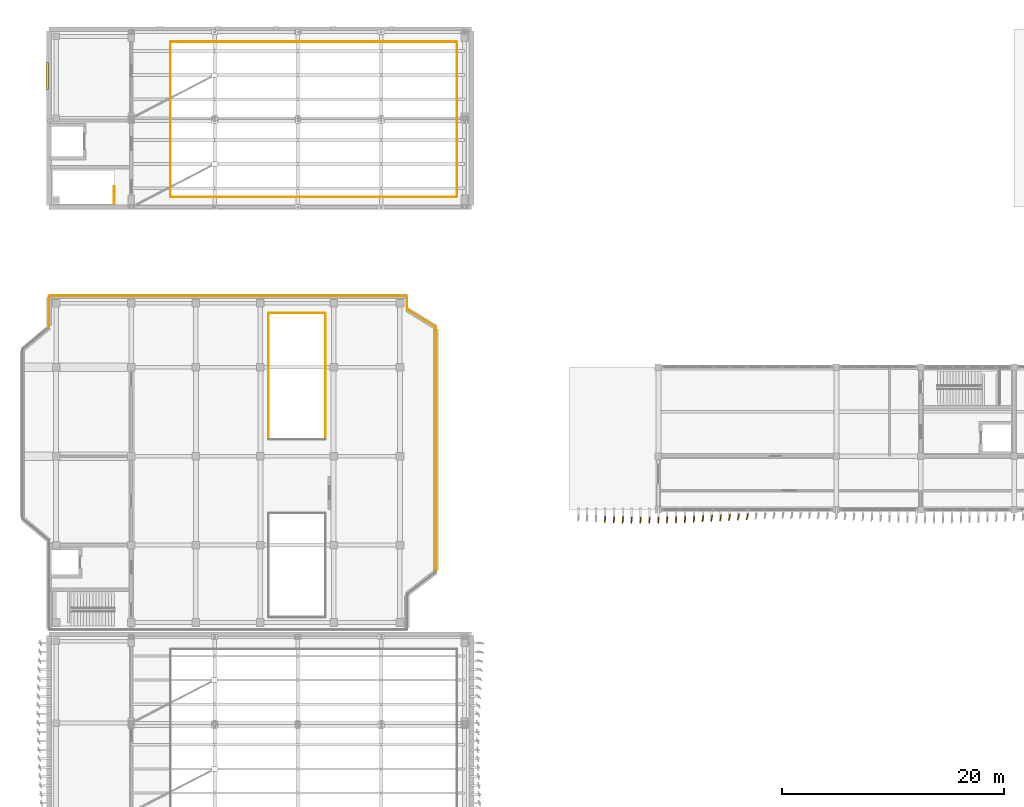
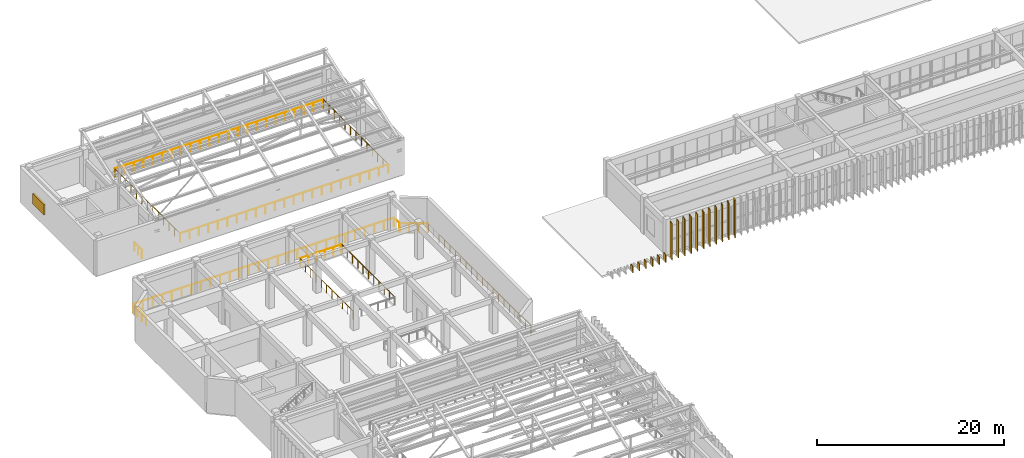
# One storey, part 68 of 76: 17 coverings, 13 railings, 1 shading device.
"""IFC4 building model written with IfcOpenShell, lengths in metres."""

from ifc_helpers import new_model, si_unit, direction, frame, origin, origin_2d, place, context, subcontext, project, spatial, rectangle, circle, extrude, material, layer, layer_set, type_object, element, save


model = new_model("IFC4")

# Units and contexts
model_context = context("Model", 3, precision=1e-05, world=origin(), true_north=direction((0.0, 1.0)))
body_context = subcontext(model_context, "Body", "Model", "MODEL_VIEW")
ifc_project = project(units=[si_unit("LENGTHUNIT", "METRE"), si_unit("AREAUNIT", "SQUARE_METRE"), si_unit("VOLUMEUNIT", "CUBIC_METRE"), si_unit("PLANEANGLEUNIT", "RADIAN"), si_unit("MASSUNIT", "GRAM", prefix="KILO")], contexts=[model_context])

# Site, building, storey
site_placement = place(None, origin())
site = spatial("IfcSite", under=ifc_project, at=site_placement, CompositionType="ELEMENT")
building_placement = place(site_placement, origin())
building = spatial("IfcBuilding", under=site, at=building_placement, Name="Cinchona Park Media Centre", CompositionType="ELEMENT")
storey_placement = place(building_placement, frame((0.0, 0.0, 15.60009765625)))
storey = spatial("IfcBuildingStorey", under=building, at=storey_placement, Name="L03", CompositionType="ELEMENT", Elevation=15.60009765625)

# Coverings
ifc_material_1 = material(Name="Anodised Storm-Resistant Aluminium Fin", Category="aluminium")
ifc_layer = layer(ifc_material_1, 0.090087890625)
ifc_layer_set = layer_set([ifc_layer], Name="Anodised Storm-Resistant Aluminium Fin")
covering_type = type_object("IfcCoveringType", Name="CLADDING-FIN01", PredefinedType="CLADDING", material=ifc_layer_set)
covering_1_placement = place(storey_placement, frame((58.0, 73.919921875, 0.0), z_axis=(0.0, 0.0, 1.0), x_axis=(0.150743225348, 0.988572951285, 0.0)))
element("IfcCovering", 1, at=covering_1_placement, inside=storey, type_object=covering_type, Name="Twisting Vertical Facade Fin L03", PredefinedType="CLADDING", context=body_context, shape_type="SweptSolid", body=[
    extrude(rectangle(XDim=0.56005859375, YDim=0.090087890625, at=origin_2d()), origin(), (0.0, 0.0, 1.0), 0.827880859375),
])
covering_2_placement = place(storey_placement, frame((58.800048828125, 73.89111328125, 0.0), z_axis=(0.0, 0.0, 1.0), x_axis=(0.134159142573, 0.990959799621, 0.0)))
element("IfcCovering", 2, at=covering_2_placement, inside=storey, type_object=covering_type, Name="Twisting Vertical Facade Fin L03", PredefinedType="CLADDING", context=body_context, shape_type="SweptSolid", body=[
    extrude(rectangle(XDim=0.56005859375, YDim=0.090087890625, at=origin_2d()), origin(), (0.0, 0.0, 1.0), 0.889892578125),
])
covering_3_placement = place(storey_placement, frame((59.60009765625, 73.867919921875, 0.0), z_axis=(0.0, 0.0, 1.0), x_axis=(0.120829884873, 0.992673228672, 0.0)))
element("IfcCovering", 3, at=covering_3_placement, inside=storey, type_object=covering_type, Name="Twisting Vertical Facade Fin L03", PredefinedType="CLADDING", context=body_context, shape_type="SweptSolid", body=[
    extrude(rectangle(XDim=0.56005859375, YDim=0.090087890625, at=origin_2d()), origin(), (0.0, 0.0, 1.0), 0.93994140625),
])
covering_4_placement = place(storey_placement, frame((60.39990234375, 73.85205078125, -0.000732421875), z_axis=(0.0, 0.0, 1.0), x_axis=(0.111122034978, 0.993806768614, 0.0)))
element("IfcCovering", 4, at=covering_4_placement, inside=storey, type_object=covering_type, Name="Twisting Vertical Facade Fin L03", PredefinedType="CLADDING", context=body_context, shape_type="SweptSolid", body=[
    extrude(rectangle(XDim=0.56005859375, YDim=0.090087890625, at=origin_2d()), origin(), (0.0, 0.0, 1.0), 0.97509765625),
])
covering_5_placement = place(storey_placement, frame((61.199951171875, 73.842041015625, 0.000244140625), z_axis=(0.0, 0.0, 1.0), x_axis=(0.105743422663, 0.994393447567, 0.0)))
element("IfcCovering", 5, at=covering_5_placement, inside=storey, type_object=covering_type, Name="Twisting Vertical Facade Fin L03", PredefinedType="CLADDING", context=body_context, shape_type="SweptSolid", body=[
    extrude(rectangle(XDim=0.56005859375, YDim=0.090087890625, at=origin_2d()), origin(), (0.0, 0.0, 1.0), 0.9951171875),
])
covering_6_placement = place(storey_placement, frame((62.0, 73.840087890625, -0.00048828125), z_axis=(0.0, 0.0, 1.0), x_axis=(0.10470203849, 0.994503636562, 0.0)))
element("IfcCovering", 6, at=covering_6_placement, inside=storey, type_object=covering_type, Name="Twisting Vertical Facade Fin L03", PredefinedType="CLADDING", context=body_context, shape_type="SweptSolid", body=[
    extrude(rectangle(XDim=0.56005859375, YDim=0.090087890625, at=origin_2d()), origin(), (0.0, 0.0, 1.0), 0.9990234375),
])
for number, where, z_axis, x_axis, name in (
    (7, (62.800048828125, 73.845947265625, 0.0), (0.0, 0.0, 1.0), (0.107999355706, 0.994150963972, 0.0), "Twisting Vertical Facade Fin L03"),
    (8, (63.60009765625, 73.85888671875, 0.0), (0.0, 0.0, 1.0), (0.115457263478, 0.993312448482, 0.0), "Twisting Vertical Facade Fin L03"),
    (9, (64.39990234375, 73.87890625, 0.0), (0.0, 0.0, 1.0), (0.127064608601, 0.99189444259, 0.0), "Twisting Vertical Facade Fin L03"),
    (10, (65.199951171875, 73.905029296875, 0.0), (0.0, 0.0, 1.0), (0.142110668555, 0.989850775563, 0.0), "Twisting Vertical Facade Fin L03"),
    (11, (66.0, 73.93603515625, 0.0), (0.0, 0.0, 1.0), (0.160225753504, 0.987080395872, 0.0), "Twisting Vertical Facade Fin L03"),
    (12, (66.800048828125, 73.971923828125, 0.0), (0.0, 0.0, 1.0), (0.180519145251, 0.983571470813, 0.0), "Twisting Vertical Facade Fin L03"),
    (13, (67.60009765625, 74.010009765625, 0.0), (0.0, 0.0, 1.0), (0.202445469766, 0.979293537082, 0.0), "Twisting Vertical Facade Fin L03"),
    (14, (68.39990234375, 74.050048828125, 0.0), (0.0, 0.0, 1.0), (0.224951054344, 0.974370064785, 0.0), "Twisting Vertical Facade Fin L03"),
    (15, (69.199951171875, 74.090087890625, 0.0), (0.0, 0.0, 1.0), (0.247337247968, 0.968929453452, 0.0), "Twisting Vertical Facade Fin L03"),
    (16, (70.0, 74.1279296875, 0.0), (0.0, 0.0, 1.0), (0.268919820615, 0.963162566798, 0.0), "Twisting Vertical Facade Fin L03"),
    (17, (70.800048828125, 74.1640625, 0.0), (0.0, 0.0, 1.0), (0.288697611798, 0.957420330337, 0.0), "Twisting Vertical Facade Fin L03"),
):
    element("IfcCovering", number, at=place(storey_placement, frame(where, z_axis=z_axis, x_axis=x_axis)), inside=storey, type_object=covering_type, Name=name, PredefinedType="CLADDING", context=body_context, shape_type="SweptSolid", body=[
        extrude(rectangle(XDim=0.56005859375, YDim=0.090087890625, at=origin_2d()), origin(), (0.0, 0.0, 1.0), 4.800048828125),
    ])

# Railings
ifc_material_2 = material(Name="Galvanised Painted Steel Balustrade", Category="steel")
railing_type_1 = type_object("IfcRailingType", Name="RAILING-GR01", PredefinedType="BALUSTRADE", material=ifc_material_2)
railing_1_placement = place(storey_placement, frame((18.951904296875, 102.919921875, 0.0)))
element("IfcRailing", 18, at=railing_1_placement, inside=storey, type_object=railing_type_1, Name="Atrium Balustrade GR01 VOID-L03-SAWV2 S1", PredefinedType="BALUSTRADE", context=body_context, shape_type="SweptSolid", body=[
    extrude(circle(Radius=0.02392578125, at=origin_2d()), frame((0.0, 0.0, 1.076171875), z_axis=(1.0, 0.0, 0.0), x_axis=(0.0, 1.0, 0.0)), (0.0, 0.0, 1.0), 25.696044921875),
    extrude(circle(Radius=0.02099609375, at=origin_2d()), origin(), (0.0, 0.0, 1.0), 1.052001953125),
    extrude(circle(Radius=0.02099609375, at=origin_2d()), frame((1.16796875, 0.0, 0.0)), (0.0, 0.0, 1.0), 1.052001953125),
    extrude(circle(Radius=0.02099609375, at=origin_2d()), frame((2.3359375, 0.0, 0.0)), (0.0, 0.0, 1.0), 1.052001953125),
    extrude(circle(Radius=0.02099609375, at=origin_2d()), frame((3.50390625, 0.0, 0.0)), (0.0, 0.0, 1.0), 1.052001953125),
    extrude(circle(Radius=0.02099609375, at=origin_2d()), frame((4.672119140625, 0.0, 0.0)), (0.0, 0.0, 1.0), 1.052001953125),
    extrude(circle(Radius=0.02099609375, at=origin_2d()), frame((5.840087890625, 0.0, 0.0)), (0.0, 0.0, 1.0), 1.052001953125),
    extrude(circle(Radius=0.02099609375, at=origin_2d()), frame((7.008056640625, 0.0, 0.0)), (0.0, 0.0, 1.0), 1.052001953125),
    extrude(circle(Radius=0.02099609375, at=origin_2d()), frame((8.176025390625, 0.0, 0.0)), (0.0, 0.0, 1.0), 1.052001953125),
    extrude(circle(Radius=0.02099609375, at=origin_2d()), frame((9.343994140625, 0.0, 0.0)), (0.0, 0.0, 1.0), 1.052001953125),
    extrude(circle(Radius=0.02099609375, at=origin_2d()), frame((10.511962890625, 0.0, 0.0)), (0.0, 0.0, 1.0), 1.052001953125),
    extrude(circle(Radius=0.02099609375, at=origin_2d()), frame((11.679931640625, 0.0, 0.0)), (0.0, 0.0, 1.0), 1.052001953125),
    extrude(circle(Radius=0.02099609375, at=origin_2d()), frame((12.84814453125, 0.0, 0.0)), (0.0, 0.0, 1.0), 1.052001953125),
    extrude(circle(Radius=0.02099609375, at=origin_2d()), frame((14.01611328125, 0.0, 0.0)), (0.0, 0.0, 1.0), 1.052001953125),
    extrude(circle(Radius=0.02099609375, at=origin_2d()), frame((15.18408203125, 0.0, 0.0)), (0.0, 0.0, 1.0), 1.052001953125),
    extrude(circle(Radius=0.02099609375, at=origin_2d()), frame((16.35205078125, 0.0, 0.0)), (0.0, 0.0, 1.0), 1.052001953125),
    extrude(circle(Radius=0.02099609375, at=origin_2d()), frame((17.52001953125, 0.0, 0.0)), (0.0, 0.0, 1.0), 1.052001953125),
    extrude(circle(Radius=0.02099609375, at=origin_2d()), frame((18.68798828125, 0.0, 0.0)), (0.0, 0.0, 1.0), 1.052001953125),
    extrude(circle(Radius=0.02099609375, at=origin_2d()), frame((19.85595703125, 0.0, 0.0)), (0.0, 0.0, 1.0), 1.052001953125),
    extrude(circle(Radius=0.02099609375, at=origin_2d()), frame((21.02392578125, 0.0, 0.0)), (0.0, 0.0, 1.0), 1.052001953125),
    extrude(circle(Radius=0.02099609375, at=origin_2d()), frame((22.192138671875, 0.0, 0.0)), (0.0, 0.0, 1.0), 1.052001953125),
    extrude(circle(Radius=0.02099609375, at=origin_2d()), frame((23.360107421875, 0.0, 0.0)), (0.0, 0.0, 1.0), 1.052001953125),
    extrude(circle(Radius=0.02099609375, at=origin_2d()), frame((24.528076171875, 0.0, 0.0)), (0.0, 0.0, 1.0), 1.052001953125),
    extrude(circle(Radius=0.02099609375, at=origin_2d()), frame((25.696044921875, 0.0, 0.0)), (0.0, 0.0, 1.0), 1.052001953125),
])
railing_2_placement = place(storey_placement, frame((44.679931640625, 102.951904296875, 0.0)))
element("IfcRailing", 19, at=railing_2_placement, inside=storey, type_object=railing_type_1, Name="Atrium Balustrade GR01 VOID-L03-SAWV2 S2", PredefinedType="BALUSTRADE", context=body_context, shape_type="SweptSolid", body=[
    extrude(circle(Radius=0.02392578125, at=origin_2d()), frame((0.0, 0.0, 1.076171875), z_axis=(0.0, 1.0, 0.0), x_axis=(-1.0, 0.0, 0.0)), (0.0, 0.0, 1.0), 13.89599609375),
    extrude(circle(Radius=0.02099609375, at=origin_2d()), origin(), (0.0, 0.0, 1.0), 1.052001953125),
    extrude(circle(Radius=0.02099609375, at=origin_2d()), frame((0.0, 1.157958984375, 0.0)), (0.0, 0.0, 1.0), 1.052001953125),
    extrude(circle(Radius=0.02099609375, at=origin_2d()), frame((0.0, 2.31591796875, 0.0)), (0.0, 0.0, 1.0), 1.052001953125),
    extrude(circle(Radius=0.02099609375, at=origin_2d()), frame((0.0, 3.47412109375, 0.0)), (0.0, 0.0, 1.0), 1.052001953125),
    extrude(circle(Radius=0.02099609375, at=origin_2d()), frame((0.0, 4.632080078125, 0.0)), (0.0, 0.0, 1.0), 1.052001953125),
    extrude(circle(Radius=0.02099609375, at=origin_2d()), frame((0.0, 5.7900390625, 0.0)), (0.0, 0.0, 1.0), 1.052001953125),
    extrude(circle(Radius=0.02099609375, at=origin_2d()), frame((0.0, 6.947998046875, 0.0)), (0.0, 0.0, 1.0), 1.052001953125),
    extrude(circle(Radius=0.02099609375, at=origin_2d()), frame((0.0, 8.10595703125, 0.0)), (0.0, 0.0, 1.0), 1.052001953125),
    extrude(circle(Radius=0.02099609375, at=origin_2d()), frame((0.0, 9.263916015625, 0.0)), (0.0, 0.0, 1.0), 1.052001953125),
    extrude(circle(Radius=0.02099609375, at=origin_2d()), frame((0.0, 10.421875, 0.0)), (0.0, 0.0, 1.0), 1.052001953125),
    extrude(circle(Radius=0.02099609375, at=origin_2d()), frame((0.0, 11.580078125, 0.0)), (0.0, 0.0, 1.0), 1.052001953125),
    extrude(circle(Radius=0.02099609375, at=origin_2d()), frame((0.0, 12.738037109375, 0.0)), (0.0, 0.0, 1.0), 1.052001953125),
    extrude(circle(Radius=0.02099609375, at=origin_2d()), frame((0.0, 13.89599609375, 0.0)), (0.0, 0.0, 1.0), 1.052001953125),
])
railing_3_placement = place(storey_placement, frame((44.64794921875, 116.8798828125, 0.0)))
element("IfcRailing", 20, at=railing_3_placement, inside=storey, type_object=railing_type_1, Name="Atrium Balustrade GR01 VOID-L03-SAWV2 S3", PredefinedType="BALUSTRADE", context=body_context, shape_type="SweptSolid", body=[
    extrude(circle(Radius=0.02392578125, at=origin_2d()), frame((0.0, 0.0, 1.076171875), z_axis=(-1.0, 0.0, 0.0), x_axis=(0.0, -1.0, 0.0)), (0.0, 0.0, 1.0), 25.696044921875),
    extrude(circle(Radius=0.02099609375, at=origin_2d()), origin(), (0.0, 0.0, 1.0), 1.052001953125),
    extrude(circle(Radius=0.02099609375, at=origin_2d()), frame((-1.16796875, 0.0, 0.0)), (0.0, 0.0, 1.0), 1.052001953125),
    extrude(circle(Radius=0.02099609375, at=origin_2d()), frame((-2.3359375, 0.0, 0.0)), (0.0, 0.0, 1.0), 1.052001953125),
    extrude(circle(Radius=0.02099609375, at=origin_2d()), frame((-3.50390625, 0.0, 0.0)), (0.0, 0.0, 1.0), 1.052001953125),
    extrude(circle(Radius=0.02099609375, at=origin_2d()), frame((-4.672119140625, 0.0, 0.0)), (0.0, 0.0, 1.0), 1.052001953125),
    extrude(circle(Radius=0.02099609375, at=origin_2d()), frame((-5.840087890625, 0.0, 0.0)), (0.0, 0.0, 1.0), 1.052001953125),
    extrude(circle(Radius=0.02099609375, at=origin_2d()), frame((-7.008056640625, 0.0, 0.0)), (0.0, 0.0, 1.0), 1.052001953125),
    extrude(circle(Radius=0.02099609375, at=origin_2d()), frame((-8.176025390625, 0.0, 0.0)), (0.0, 0.0, 1.0), 1.052001953125),
    extrude(circle(Radius=0.02099609375, at=origin_2d()), frame((-9.343994140625, 0.0, 0.0)), (0.0, 0.0, 1.0), 1.052001953125),
    extrude(circle(Radius=0.02099609375, at=origin_2d()), frame((-10.511962890625, 0.0, 0.0)), (0.0, 0.0, 1.0), 1.052001953125),
    extrude(circle(Radius=0.02099609375, at=origin_2d()), frame((-11.679931640625, 0.0, 0.0)), (0.0, 0.0, 1.0), 1.052001953125),
    extrude(circle(Radius=0.02099609375, at=origin_2d()), frame((-12.84814453125, 0.0, 0.0)), (0.0, 0.0, 1.0), 1.052001953125),
    extrude(circle(Radius=0.02099609375, at=origin_2d()), frame((-14.01611328125, 0.0, 0.0)), (0.0, 0.0, 1.0), 1.052001953125),
    extrude(circle(Radius=0.02099609375, at=origin_2d()), frame((-15.18408203125, 0.0, 0.0)), (0.0, 0.0, 1.0), 1.052001953125),
    extrude(circle(Radius=0.02099609375, at=origin_2d()), frame((-16.35205078125, 0.0, 0.0)), (0.0, 0.0, 1.0), 1.052001953125),
    extrude(circle(Radius=0.02099609375, at=origin_2d()), frame((-17.52001953125, 0.0, 0.0)), (0.0, 0.0, 1.0), 1.052001953125),
    extrude(circle(Radius=0.02099609375, at=origin_2d()), frame((-18.68798828125, 0.0, 0.0)), (0.0, 0.0, 1.0), 1.052001953125),
    extrude(circle(Radius=0.02099609375, at=origin_2d()), frame((-19.85595703125, 0.0, 0.0)), (0.0, 0.0, 1.0), 1.052001953125),
    extrude(circle(Radius=0.02099609375, at=origin_2d()), frame((-21.02392578125, 0.0, 0.0)), (0.0, 0.0, 1.0), 1.052001953125),
    extrude(circle(Radius=0.02099609375, at=origin_2d()), frame((-22.192138671875, 0.0, 0.0)), (0.0, 0.0, 1.0), 1.052001953125),
    extrude(circle(Radius=0.02099609375, at=origin_2d()), frame((-23.360107421875, 0.0, 0.0)), (0.0, 0.0, 1.0), 1.052001953125),
    extrude(circle(Radius=0.02099609375, at=origin_2d()), frame((-24.528076171875, 0.0, 0.0)), (0.0, 0.0, 1.0), 1.052001953125),
    extrude(circle(Radius=0.02099609375, at=origin_2d()), frame((-25.696044921875, 0.0, 0.0)), (0.0, 0.0, 1.0), 1.052001953125),
])
railing_4_placement = place(storey_placement, frame((18.919921875, 116.847900390625, 0.0)))
element("IfcRailing", 21, at=railing_4_placement, inside=storey, type_object=railing_type_1, Name="Atrium Balustrade GR01 VOID-L03-SAWV2 S4", PredefinedType="BALUSTRADE", context=body_context, shape_type="SweptSolid", body=[
    extrude(circle(Radius=0.02392578125, at=origin_2d()), frame((0.0, 0.0, 1.076171875), z_axis=(0.0, -1.0, 0.0), x_axis=(1.0, 0.0, 0.0)), (0.0, 0.0, 1.0), 13.89599609375),
    extrude(circle(Radius=0.02099609375, at=origin_2d()), origin(), (0.0, 0.0, 1.0), 1.052001953125),
    extrude(circle(Radius=0.02099609375, at=origin_2d()), frame((0.0, -1.157958984375, 0.0)), (0.0, 0.0, 1.0), 1.052001953125),
    extrude(circle(Radius=0.02099609375, at=origin_2d()), frame((0.0, -2.31591796875, 0.0)), (0.0, 0.0, 1.0), 1.052001953125),
    extrude(circle(Radius=0.02099609375, at=origin_2d()), frame((0.0, -3.47412109375, 0.0)), (0.0, 0.0, 1.0), 1.052001953125),
    extrude(circle(Radius=0.02099609375, at=origin_2d()), frame((0.0, -4.632080078125, 0.0)), (0.0, 0.0, 1.0), 1.052001953125),
    extrude(circle(Radius=0.02099609375, at=origin_2d()), frame((0.0, -5.7900390625, 0.0)), (0.0, 0.0, 1.0), 1.052001953125),
    extrude(circle(Radius=0.02099609375, at=origin_2d()), frame((0.0, -6.947998046875, 0.0)), (0.0, 0.0, 1.0), 1.052001953125),
    extrude(circle(Radius=0.02099609375, at=origin_2d()), frame((0.0, -8.10595703125, 0.0)), (0.0, 0.0, 1.0), 1.052001953125),
    extrude(circle(Radius=0.02099609375, at=origin_2d()), frame((0.0, -9.263916015625, 0.0)), (0.0, 0.0, 1.0), 1.052001953125),
    extrude(circle(Radius=0.02099609375, at=origin_2d()), frame((0.0, -10.421875, 0.0)), (0.0, 0.0, 1.0), 1.052001953125),
    extrude(circle(Radius=0.02099609375, at=origin_2d()), frame((0.0, -11.580078125, 0.0)), (0.0, 0.0, 1.0), 1.052001953125),
    extrude(circle(Radius=0.02099609375, at=origin_2d()), frame((0.0, -12.738037109375, 0.0)), (0.0, 0.0, 1.0), 1.052001953125),
    extrude(circle(Radius=0.02099609375, at=origin_2d()), frame((0.0, -13.89599609375, 0.0)), (0.0, 0.0, 1.0), 1.052001953125),
])
railing_5_placement = place(storey_placement, frame((32.8798828125, 81.152099609375, 0.0)))
element("IfcRailing", 22, at=railing_5_placement, inside=storey, type_object=railing_type_1, Name="Atrium Balustrade GR01 VOID-L03-CIN5 S2", PredefinedType="BALUSTRADE", context=body_context, shape_type="SweptSolid", body=[
    extrude(circle(Radius=0.02392578125, at=origin_2d()), frame((0.0, 0.0, 1.076171875), z_axis=(0.0, 1.0, 0.0), x_axis=(-1.0, 0.0, 0.0)), (0.0, 0.0, 1.0), 11.2958984375),
    extrude(circle(Radius=0.02099609375, at=origin_2d()), origin(), (0.0, 0.0, 1.0), 1.052001953125),
    extrude(circle(Radius=0.02099609375, at=origin_2d()), frame((0.0, 1.129638671875, 0.0)), (0.0, 0.0, 1.0), 1.052001953125),
    extrude(circle(Radius=0.02099609375, at=origin_2d()), frame((0.0, 2.25927734375, 0.0)), (0.0, 0.0, 1.0), 1.052001953125),
    extrude(circle(Radius=0.02099609375, at=origin_2d()), frame((0.0, 3.388671875, 0.0)), (0.0, 0.0, 1.0), 1.052001953125),
    extrude(circle(Radius=0.02099609375, at=origin_2d()), frame((0.0, 4.518310546875, 0.0)), (0.0, 0.0, 1.0), 1.052001953125),
    extrude(circle(Radius=0.02099609375, at=origin_2d()), frame((0.0, 5.64794921875, 0.0)), (0.0, 0.0, 1.0), 1.052001953125),
    extrude(circle(Radius=0.02099609375, at=origin_2d()), frame((0.0, 6.777587890625, 0.0)), (0.0, 0.0, 1.0), 1.052001953125),
    extrude(circle(Radius=0.02099609375, at=origin_2d()), frame((0.0, 7.9072265625, 0.0)), (0.0, 0.0, 1.0), 1.052001953125),
    extrude(circle(Radius=0.02099609375, at=origin_2d()), frame((0.0, 9.03662109375, 0.0)), (0.0, 0.0, 1.0), 1.052001953125),
    extrude(circle(Radius=0.02099609375, at=origin_2d()), frame((0.0, 10.166259765625, 0.0)), (0.0, 0.0, 1.0), 1.052001953125),
    extrude(circle(Radius=0.02099609375, at=origin_2d()), frame((0.0, 11.2958984375, 0.0)), (0.0, 0.0, 1.0), 1.052001953125),
])
railing_6_placement = place(storey_placement, frame((32.847900390625, 92.47998046875, 0.0)))
element("IfcRailing", 23, at=railing_6_placement, inside=storey, type_object=railing_type_1, Name="Atrium Balustrade GR01 VOID-L03-CIN5 S3", PredefinedType="BALUSTRADE", context=body_context, shape_type="SweptSolid", body=[
    extrude(circle(Radius=0.02392578125, at=origin_2d()), frame((0.0, 0.0, 1.076171875), z_axis=(-1.0, 0.0, 0.0), x_axis=(0.0, -1.0, 0.0)), (0.0, 0.0, 1.0), 5.095947265625),
    extrude(circle(Radius=0.02099609375, at=origin_2d()), origin(), (0.0, 0.0, 1.0), 1.052001953125),
    extrude(circle(Radius=0.02099609375, at=origin_2d()), frame((-1.019287109375, 0.0, 0.0)), (0.0, 0.0, 1.0), 1.052001953125),
    extrude(circle(Radius=0.02099609375, at=origin_2d()), frame((-2.038330078125, 0.0, 0.0)), (0.0, 0.0, 1.0), 1.052001953125),
    extrude(circle(Radius=0.02099609375, at=origin_2d()), frame((-3.0576171875, 0.0, 0.0)), (0.0, 0.0, 1.0), 1.052001953125),
    extrude(circle(Radius=0.02099609375, at=origin_2d()), frame((-4.07666015625, 0.0, 0.0)), (0.0, 0.0, 1.0), 1.052001953125),
    extrude(circle(Radius=0.02099609375, at=origin_2d()), frame((-5.095947265625, 0.0, 0.0)), (0.0, 0.0, 1.0), 1.052001953125),
])
railing_7_placement = place(storey_placement, frame((27.719970703125, 92.447998046875, 0.0)))
element("IfcRailing", 24, at=railing_7_placement, inside=storey, type_object=railing_type_1, Name="Atrium Balustrade GR01 VOID-L03-CIN5 S4", PredefinedType="BALUSTRADE", context=body_context, shape_type="SweptSolid", body=[
    extrude(circle(Radius=0.02392578125, at=origin_2d()), frame((0.0, 0.0, 1.076171875), z_axis=(0.0, -1.0, 0.0), x_axis=(1.0, 0.0, 0.0)), (0.0, 0.0, 1.0), 11.2958984375),
    extrude(circle(Radius=0.02099609375, at=origin_2d()), origin(), (0.0, 0.0, 1.0), 1.052001953125),
    extrude(circle(Radius=0.02099609375, at=origin_2d()), frame((0.0, -1.129638671875, 0.0)), (0.0, 0.0, 1.0), 1.052001953125),
    extrude(circle(Radius=0.02099609375, at=origin_2d()), frame((0.0, -2.25927734375, 0.0)), (0.0, 0.0, 1.0), 1.052001953125),
    extrude(circle(Radius=0.02099609375, at=origin_2d()), frame((0.0, -3.388671875, 0.0)), (0.0, 0.0, 1.0), 1.052001953125),
    extrude(circle(Radius=0.02099609375, at=origin_2d()), frame((0.0, -4.518310546875, 0.0)), (0.0, 0.0, 1.0), 1.052001953125),
    extrude(circle(Radius=0.02099609375, at=origin_2d()), frame((0.0, -5.64794921875, 0.0)), (0.0, 0.0, 1.0), 1.052001953125),
    extrude(circle(Radius=0.02099609375, at=origin_2d()), frame((0.0, -6.777587890625, 0.0)), (0.0, 0.0, 1.0), 1.052001953125),
    extrude(circle(Radius=0.02099609375, at=origin_2d()), frame((0.0, -7.9072265625, 0.0)), (0.0, 0.0, 1.0), 1.052001953125),
    extrude(circle(Radius=0.02099609375, at=origin_2d()), frame((0.0, -9.03662109375, 0.0)), (0.0, 0.0, 1.0), 1.052001953125),
    extrude(circle(Radius=0.02099609375, at=origin_2d()), frame((0.0, -10.166259765625, 0.0)), (0.0, 0.0, 1.0), 1.052001953125),
    extrude(circle(Radius=0.02099609375, at=origin_2d()), frame((0.0, -11.2958984375, 0.0)), (0.0, 0.0, 1.0), 1.052001953125),
])
ifc_material_3 = material(Name="Painted Steel Stairwell Guardrail", Category="steel")
railing_type_2 = type_object("IfcRailingType", Name="RAILING-GR02", PredefinedType="GUARDRAIL", material=ifc_material_3)
railing_8_placement = place(storey_placement, frame((13.864990234375, 102.320068359375, 0.0)))
element("IfcRailing", 25, at=railing_8_placement, inside=storey, type_object=railing_type_2, Name="Stairwell Guardrail GR02 ST4 L03", PredefinedType="GUARDRAIL", context=body_context, shape_type="SweptSolid", body=[
    extrude(circle(Radius=0.02392578125, at=origin_2d()), frame((0.0, 0.0, 1.076171875), z_axis=(0.0, 1.0, 0.0), x_axis=(-1.0, 0.0, 0.0)), (0.0, 0.0, 1.0), 1.559814453125),
    extrude(circle(Radius=0.02099609375, at=origin_2d()), origin(), (0.0, 0.0, 1.0), 1.052001953125),
    extrude(circle(Radius=0.02099609375, at=origin_2d()), frame((0.0, 0.77978515625, 0.0)), (0.0, 0.0, 1.0), 1.052001953125),
    extrude(circle(Radius=0.02099609375, at=origin_2d()), frame((0.0, 1.559814453125, 0.0)), (0.0, 0.0, 1.0), 1.052001953125),
])
railing_9_placement = place(storey_placement, frame((42.800048828125, 69.23193359375, 0.0)))
element("IfcRailing", 26, at=railing_9_placement, inside=storey, type_object=railing_type_2, Name="Auditorium Wedge Perimeter Guardrail GR02 L03 S4", PredefinedType="GUARDRAIL", context=body_context, shape_type="SweptSolid", body=[
    extrude(circle(Radius=0.02392578125, at=origin_2d()), frame((0.0, 0.0, 1.09619140625), z_axis=(0.0, 1.0, 0.0), x_axis=(-1.0, 0.0, 0.0)), (0.0, 0.0, 1.0), 21.93603515625),
    extrude(circle(Radius=0.02099609375, at=origin_2d()), origin(), (0.0, 0.0, 1.0), 1.072021484375),
    extrude(circle(Radius=0.02099609375, at=origin_2d()), frame((0.0, 1.154541015625, 0.0)), (0.0, 0.0, 1.0), 1.072021484375),
    extrude(circle(Radius=0.02099609375, at=origin_2d()), frame((0.0, 2.30908203125, 0.0)), (0.0, 0.0, 1.0), 1.072021484375),
    extrude(circle(Radius=0.02099609375, at=origin_2d()), frame((0.0, 3.463623046875, 0.0)), (0.0, 0.0, 1.0), 1.072021484375),
    extrude(circle(Radius=0.02099609375, at=origin_2d()), frame((0.0, 4.6181640625, 0.0)), (0.0, 0.0, 1.0), 1.072021484375),
    extrude(circle(Radius=0.02099609375, at=origin_2d()), frame((0.0, 5.772705078125, 0.0)), (0.0, 0.0, 1.0), 1.072021484375),
    extrude(circle(Radius=0.02099609375, at=origin_2d()), frame((0.0, 6.92724609375, 0.0)), (0.0, 0.0, 1.0), 1.072021484375),
    extrude(circle(Radius=0.02099609375, at=origin_2d()), frame((0.0, 8.081787109375, 0.0)), (0.0, 0.0, 1.0), 1.072021484375),
    extrude(circle(Radius=0.02099609375, at=origin_2d()), frame((0.0, 9.236328125, 0.0)), (0.0, 0.0, 1.0), 1.072021484375),
    extrude(circle(Radius=0.02099609375, at=origin_2d()), frame((0.0, 10.390869140625, 0.0)), (0.0, 0.0, 1.0), 1.072021484375),
    extrude(circle(Radius=0.02099609375, at=origin_2d()), frame((0.0, 11.545166015625, 0.0)), (0.0, 0.0, 1.0), 1.072021484375),
    extrude(circle(Radius=0.02099609375, at=origin_2d()), frame((0.0, 12.69970703125, 0.0)), (0.0, 0.0, 1.0), 1.072021484375),
    extrude(circle(Radius=0.02099609375, at=origin_2d()), frame((0.0, 13.854248046875, 0.0)), (0.0, 0.0, 1.0), 1.072021484375),
    extrude(circle(Radius=0.02099609375, at=origin_2d()), frame((0.0, 15.0087890625, 0.0)), (0.0, 0.0, 1.0), 1.072021484375),
    extrude(circle(Radius=0.02099609375, at=origin_2d()), frame((0.0, 16.163330078125, 0.0)), (0.0, 0.0, 1.0), 1.072021484375),
    extrude(circle(Radius=0.02099609375, at=origin_2d()), frame((0.0, 17.31787109375, 0.0)), (0.0, 0.0, 1.0), 1.072021484375),
    extrude(circle(Radius=0.02099609375, at=origin_2d()), frame((0.0, 18.472412109375, 0.0)), (0.0, 0.0, 1.0), 1.072021484375),
    extrude(circle(Radius=0.02099609375, at=origin_2d()), frame((0.0, 19.626953125, 0.0)), (0.0, 0.0, 1.0), 1.072021484375),
    extrude(circle(Radius=0.02099609375, at=origin_2d()), frame((0.0, 20.781494140625, 0.0)), (0.0, 0.0, 1.0), 1.072021484375),
    extrude(circle(Radius=0.02099609375, at=origin_2d()), frame((0.0, 21.93603515625, 0.0)), (0.0, 0.0, 1.0), 1.072021484375),
])
railing_10_placement = place(storey_placement, frame((42.77294921875, 91.217041015625, 0.0)))
element("IfcRailing", 27, at=railing_10_placement, inside=storey, type_object=railing_type_2, Name="Auditorium Wedge Perimeter Guardrail GR02 L03 S5", PredefinedType="GUARDRAIL", context=body_context, shape_type="SweptSolid", body=[
    extrude(circle(Radius=0.02392578125, at=origin_2d()), frame((0.0, 0.0, 1.09619140625), z_axis=(-0.85177608502, 0.523906003962, 0.0), x_axis=(-0.523906003962, -0.85177608502, 0.0)), (0.0, 0.0, 1.0), 2.989013671875),
    extrude(circle(Radius=0.02099609375, at=origin_2d()), origin(), (0.0, 0.0, 1.0), 1.072021484375),
    extrude(circle(Radius=0.02099609375, at=origin_2d()), frame((-0.8486328125, 0.52197265625, 0.0)), (0.0, 0.0, 1.0), 1.072021484375),
    extrude(circle(Radius=0.02099609375, at=origin_2d()), frame((-1.697265625, 1.0439453125, 0.0)), (0.0, 0.0, 1.0), 1.072021484375),
    extrude(circle(Radius=0.02099609375, at=origin_2d()), frame((-2.5458984375, 1.56591796875, 0.0)), (0.0, 0.0, 1.0), 1.072021484375),
])
railing_11_placement = place(storey_placement, frame((40.199951171875, 92.83203125, 0.0)))
element("IfcRailing", 28, at=railing_11_placement, inside=storey, type_object=railing_type_2, Name="Auditorium Wedge Perimeter Guardrail GR02 L03 S6", PredefinedType="GUARDRAIL", context=body_context, shape_type="SweptSolid", body=[
    extrude(circle(Radius=0.02392578125, at=origin_2d()), frame((0.0, 0.0, 1.09619140625), z_axis=(0.0, 1.0, 0.0), x_axis=(-1.0, 0.0, 0.0)), (0.0, 0.0, 1.0), 1.135986328125),
    extrude(circle(Radius=0.02099609375, at=origin_2d()), origin(), (0.0, 0.0, 1.0), 1.072021484375),
    extrude(circle(Radius=0.02099609375, at=origin_2d()), frame((0.0, 1.135986328125, 0.0)), (0.0, 0.0, 1.0), 1.072021484375),
])
railing_12_placement = place(storey_placement, frame((40.16796875, 94.0, 0.0)))
element("IfcRailing", 29, at=railing_12_placement, inside=storey, type_object=railing_type_2, Name="Auditorium Wedge Perimeter Guardrail GR02 L03 S7", PredefinedType="GUARDRAIL", context=body_context, shape_type="SweptSolid", body=[
    extrude(circle(Radius=0.02392578125, at=origin_2d()), frame((0.0, 0.0, 1.09619140625), z_axis=(-1.0, 0.0, 0.0), x_axis=(0.0, -1.0, 0.0)), (0.0, 0.0, 1.0), 32.135986328125),
    extrude(circle(Radius=0.02099609375, at=origin_2d()), origin(), (0.0, 0.0, 1.0), 1.072021484375),
    extrude(circle(Radius=0.02099609375, at=origin_2d()), frame((-1.190185546875, 0.0, 0.0)), (0.0, 0.0, 1.0), 1.072021484375),
    extrude(circle(Radius=0.02099609375, at=origin_2d()), frame((-2.38037109375, 0.0, 0.0)), (0.0, 0.0, 1.0), 1.072021484375),
    extrude(circle(Radius=0.02099609375, at=origin_2d()), frame((-3.570556640625, 0.0, 0.0)), (0.0, 0.0, 1.0), 1.072021484375),
    extrude(circle(Radius=0.02099609375, at=origin_2d()), frame((-4.760986328125, 0.0, 0.0)), (0.0, 0.0, 1.0), 1.072021484375),
    extrude(circle(Radius=0.02099609375, at=origin_2d()), frame((-5.951171875, 0.0, 0.0)), (0.0, 0.0, 1.0), 1.072021484375),
    extrude(circle(Radius=0.02099609375, at=origin_2d()), frame((-7.141357421875, 0.0, 0.0)), (0.0, 0.0, 1.0), 1.072021484375),
    extrude(circle(Radius=0.02099609375, at=origin_2d()), frame((-8.33154296875, 0.0, 0.0)), (0.0, 0.0, 1.0), 1.072021484375),
    extrude(circle(Radius=0.02099609375, at=origin_2d()), frame((-9.521728515625, 0.0, 0.0)), (0.0, 0.0, 1.0), 1.072021484375),
    extrude(circle(Radius=0.02099609375, at=origin_2d()), frame((-10.7119140625, 0.0, 0.0)), (0.0, 0.0, 1.0), 1.072021484375),
    extrude(circle(Radius=0.02099609375, at=origin_2d()), frame((-11.902099609375, 0.0, 0.0)), (0.0, 0.0, 1.0), 1.072021484375),
    extrude(circle(Radius=0.02099609375, at=origin_2d()), frame((-13.092529296875, 0.0, 0.0)), (0.0, 0.0, 1.0), 1.072021484375),
    extrude(circle(Radius=0.02099609375, at=origin_2d()), frame((-14.28271484375, 0.0, 0.0)), (0.0, 0.0, 1.0), 1.072021484375),
    extrude(circle(Radius=0.02099609375, at=origin_2d()), frame((-15.472900390625, 0.0, 0.0)), (0.0, 0.0, 1.0), 1.072021484375),
    extrude(circle(Radius=0.02099609375, at=origin_2d()), frame((-16.6630859375, 0.0, 0.0)), (0.0, 0.0, 1.0), 1.072021484375),
    extrude(circle(Radius=0.02099609375, at=origin_2d()), frame((-17.853271484375, 0.0, 0.0)), (0.0, 0.0, 1.0), 1.072021484375),
    extrude(circle(Radius=0.02099609375, at=origin_2d()), frame((-19.04345703125, 0.0, 0.0)), (0.0, 0.0, 1.0), 1.072021484375),
    extrude(circle(Radius=0.02099609375, at=origin_2d()), frame((-20.23388671875, 0.0, 0.0)), (0.0, 0.0, 1.0), 1.072021484375),
    extrude(circle(Radius=0.02099609375, at=origin_2d()), frame((-21.424072265625, 0.0, 0.0)), (0.0, 0.0, 1.0), 1.072021484375),
    extrude(circle(Radius=0.02099609375, at=origin_2d()), frame((-22.6142578125, 0.0, 0.0)), (0.0, 0.0, 1.0), 1.072021484375),
    extrude(circle(Radius=0.02099609375, at=origin_2d()), frame((-23.804443359375, 0.0, 0.0)), (0.0, 0.0, 1.0), 1.072021484375),
    extrude(circle(Radius=0.02099609375, at=origin_2d()), frame((-24.99462890625, 0.0, 0.0)), (0.0, 0.0, 1.0), 1.072021484375),
    extrude(circle(Radius=0.02099609375, at=origin_2d()), frame((-26.184814453125, 0.0, 0.0)), (0.0, 0.0, 1.0), 1.072021484375),
    extrude(circle(Radius=0.02099609375, at=origin_2d()), frame((-27.375, 0.0, 0.0)), (0.0, 0.0, 1.0), 1.072021484375),
    extrude(circle(Radius=0.02099609375, at=origin_2d()), frame((-28.5654296875, 0.0, 0.0)), (0.0, 0.0, 1.0), 1.072021484375),
    extrude(circle(Radius=0.02099609375, at=origin_2d()), frame((-29.755615234375, 0.0, 0.0)), (0.0, 0.0, 1.0), 1.072021484375),
    extrude(circle(Radius=0.02099609375, at=origin_2d()), frame((-30.94580078125, 0.0, 0.0)), (0.0, 0.0, 1.0), 1.072021484375),
    extrude(circle(Radius=0.02099609375, at=origin_2d()), frame((-32.135986328125, 0.0, 0.0)), (0.0, 0.0, 1.0), 1.072021484375),
])
railing_13_placement = place(storey_placement, frame((8.0, 93.968017578125, 0.0)))
element("IfcRailing", 30, at=railing_13_placement, inside=storey, type_object=railing_type_2, Name="Auditorium Wedge Perimeter Guardrail GR02 L03 S8", PredefinedType="GUARDRAIL", context=body_context, shape_type="SweptSolid", body=[
    extrude(circle(Radius=0.02392578125, at=origin_2d()), frame((0.0, 0.0, 1.09619140625), z_axis=(0.0, -1.0, 0.0), x_axis=(1.0, 0.0, 0.0)), (0.0, 0.0, 1.0), 2.736083984375),
    extrude(circle(Radius=0.02099609375, at=origin_2d()), origin(), (0.0, 0.0, 1.0), 1.072021484375),
    extrude(circle(Radius=0.02099609375, at=origin_2d()), frame((0.0, -0.912109375, 0.0)), (0.0, 0.0, 1.0), 1.072021484375),
    extrude(circle(Radius=0.02099609375, at=origin_2d()), frame((0.0, -1.823974609375, 0.0)), (0.0, 0.0, 1.0), 1.072021484375),
    extrude(circle(Radius=0.02099609375, at=origin_2d()), frame((0.0, -2.736083984375, 0.0)), (0.0, 0.0, 1.0), 1.072021484375),
])

# Shading device
ifc_material_4 = material(Name="Hurricane Acoustic Aluminium Storm Louvre", Category="aluminium")
shading_device_type = type_object("IfcShadingDeviceType", Name="SHADING-LOUV01", PredefinedType="JALOUSIE", material=ifc_material_4)
shading_device_placement = place(storey_placement, frame((7.820068359375, 113.800048828125, 1.5), z_axis=(0.0, 0.0, 1.0), x_axis=(0.0, 1.0, 0.0)))
element("IfcShadingDevice", 31, at=shading_device_placement, inside=storey, type_object=shading_device_type, Name="Acoustic Plant Storm Louvre 2", PredefinedType="JALOUSIE", context=body_context, shape_type="SweptSolid", body=[
    extrude(rectangle(XDim=2.39990234375, YDim=0.219970703125, at=origin_2d()), origin(), (0.0, 0.0, 1.0), 1.39990234375),
])

save(model, "model.ifc")
